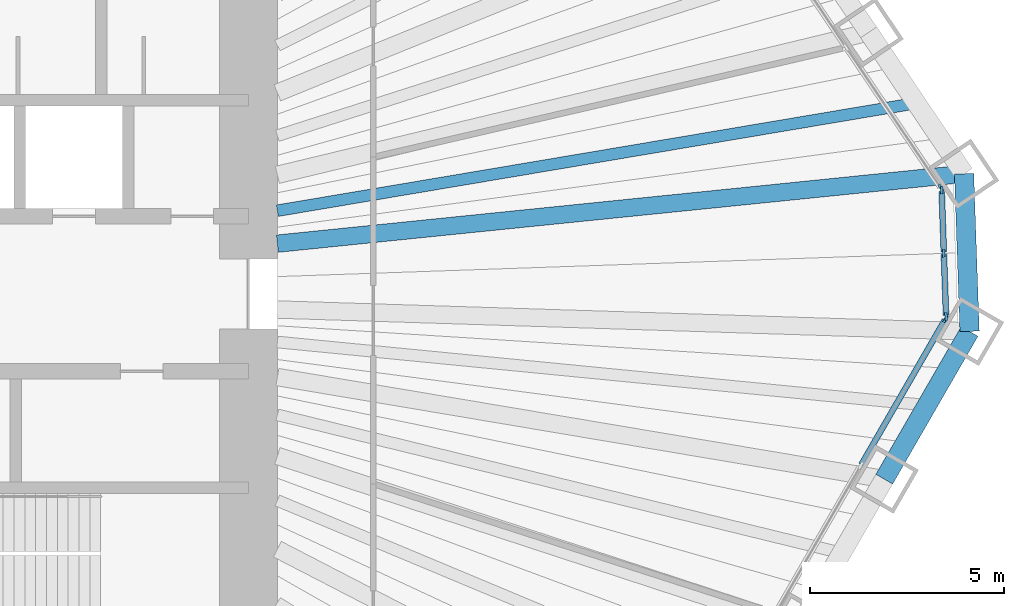
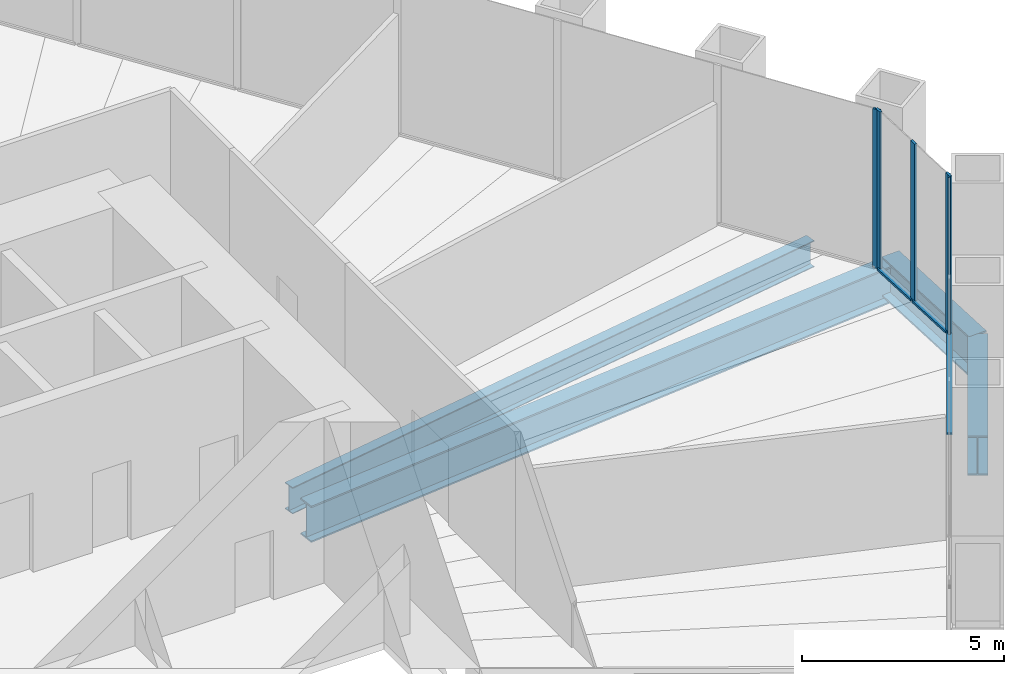
# One storey, part 5 of 13: 8 members, 4 beams, 3 elements without a shape of their own.
"""IFC4 building model written with IfcOpenShell, lengths in metres."""

from ifc_helpers import new_model, si_unit, direction, frame, origin, origin_2d, place, context, subcontext, project, spatial, rectangle, i_section, extrude, material, material_profile, profile_set, type_object, element, aggregate, save


model = new_model("IFC4")

# Units and contexts
model_context = context("Model", 3, precision=1e-05, world=origin(), true_north=direction((0.0, 1.0)))
body_context = subcontext(model_context, "Body", "Model", "MODEL_VIEW")
ifc_project = project(units=[si_unit("LENGTHUNIT", "METRE"), si_unit("AREAUNIT", "SQUARE_METRE"), si_unit("VOLUMEUNIT", "CUBIC_METRE"), si_unit("PLANEANGLEUNIT", "RADIAN"), si_unit("MASSUNIT", "GRAM", prefix="KILO")], contexts=[model_context])

# Site, building, storey
site_placement = place(None, origin())
site = spatial("IfcSite", under=ifc_project, at=site_placement, CompositionType="ELEMENT")
building_placement = place(site_placement, origin())
building = spatial("IfcBuilding", under=site, at=building_placement, Name="Qingtian Harvest Tower", CompositionType="ELEMENT")
storey_placement = place(building_placement, frame((0.0, 0.0, 32.0)))
storey = spatial("IfcBuildingStorey", under=building, at=storey_placement, Name="L06", CompositionType="ELEMENT", Elevation=32.0)

# Beams
ifc_material_1 = material(Name="Steel SM570MC", Category="steel")
ifc_material_profile_1 = material_profile(ifc_material_1, i_section(OverallWidth=0.449951171875, OverallDepth=1.10009765625, WebThickness=0.02197265625, FlangeThickness=0.044921875, at=origin_2d()), Name="H1100x450x22x45")
ifc_profile_set_1 = profile_set([ifc_material_profile_1], Name="Steel SM570MC")
beam_type_1 = type_object("IfcBeamType", Name="Corner floor beam FB8 H1100x450x22x45", PredefinedType="BEAM", material=ifc_profile_set_1)
beam_1_placement = place(storey_placement, frame((30.476318359375, 3.100830078125, -0.75), z_axis=(-0.994864371567, -0.101217005423, 0.0), x_axis=(0.101217005423, -0.994864371567, 0.0)))
element("IfcBeam", 1, at=beam_1_placement, inside=storey, type_object=beam_type_1, Name="Floor beam FB8 NE6", PredefinedType="BEAM", context=body_context, shape_type="SweptSolid", body=[
    extrude(i_section(OverallWidth=0.449951171875, OverallDepth=1.10009765625, WebThickness=0.02197265625, FlangeThickness=0.044921875, at=origin_2d()), origin(), (0.0, 0.0, 1.0), 17.81787109375),
])
ifc_material_2 = material(Name="Steel SN490B", Category="steel")
ifc_material_profile_2 = material_profile(ifc_material_2, i_section(OverallWidth=0.300048828125, OverallDepth=0.800048828125, WebThickness=0.013916015625, FlangeThickness=0.02587890625, at=origin_2d()), Name="H800x300x14x26")
ifc_profile_set_2 = profile_set([ifc_material_profile_2], Name="Steel SN490B")
beam_type_2 = type_object("IfcBeamType", Name="Floor joist J1 H800x300x14x26", PredefinedType="JOIST", material=ifc_profile_set_2)
beam_2_placement = place(storey_placement, frame((29.244873046875, 4.926513671875, -0.60009765625), z_axis=(-0.986107238024, -0.166109948877, 0.0), x_axis=(0.166109948877, -0.986107238024, 0.0)))
element("IfcBeam", 2, at=beam_2_placement, inside=storey, type_object=beam_type_2, Name="Floor joist J1 NE5", PredefinedType="JOIST", context=body_context, shape_type="SweptSolid", body=[
    extrude(i_section(OverallWidth=0.300048828125, OverallDepth=0.800048828125, WebThickness=0.013916015625, FlangeThickness=0.02587890625, at=origin_2d()), origin(), (0.0, 0.0, 1.0), 16.727294921875),
])

# Curtain wall, member
ifc_material_3 = material(Name="Bronze-anodised aluminium curtain wall", Category="aluminium")
curtain_wall_type = type_object("IfcCurtainWallType", Name="Curtain wall CW2 farm reception", PredefinedType="USERDEFINED", material=ifc_material_3)
curtain_wall_1_placement = place(storey_placement, origin())
curtain_wall_1 = element("IfcCurtainWall", 3, at=curtain_wall_1_placement, inside=storey, type_object=curtain_wall_type, Name="Curtain wall CW2 L06 NE0-5", ObjectType="RECESSED CURTAIN WALL", PredefinedType="USERDEFINED")
ifc_material_4 = material(Name="Bronze-anodised aluminium mullion", Category="aluminium")
ifc_material_profile_3 = material_profile(ifc_material_4, rectangle(XDim=0.06494140625, YDim=0.199951171875, at=origin_2d()), Name="AL 65x200")
ifc_profile_set_3 = profile_set([ifc_material_profile_3], Name="Bronze-anodised aluminium mullion")
member_type_1 = type_object("IfcMemberType", Name="Mullion CWM 65x200", PredefinedType="MULLION", material=ifc_profile_set_3)
member_1_placement = place(storey_placement, frame((29.8779296875, 2.736328125, 0.0), z_axis=(0.0, 0.0, 1.0), x_axis=(0.829037572555, 0.559192903471, 0.0)))
member_1 = element("IfcMember", 4, at=member_1_placement, type_object=member_type_1, Name="CW2 mullion 7", PredefinedType="MULLION", context=body_context, shape_type="SweptSolid", body=[
    extrude(rectangle(XDim=0.06494140625, YDim=0.199951171875, at=origin_2d()), origin(), (0.0, 0.0, 1.0), 4.800048828125),
])
aggregate(curtain_wall_1, [member_1])

# Curtain wall, members
curtain_wall_2_placement = place(storey_placement, origin())
curtain_wall_2 = element("IfcCurtainWall", 5, at=curtain_wall_2_placement, inside=storey, type_object=curtain_wall_type, Name="Curtain wall CW2 L06 NEC", ObjectType="RECESSED CURTAIN WALL", PredefinedType="USERDEFINED")
member_2_placement = place(storey_placement, frame((29.897216796875, 2.677001953125, 0.0), z_axis=(0.0, 0.0, 1.0), x_axis=(0.999390827019, 0.034899496703, 0.0)))
member_2 = element("IfcMember", 6, at=member_2_placement, type_object=member_type_1, Name="CW2 mullion 1", PredefinedType="MULLION", context=body_context, shape_type="SweptSolid", body=[
    extrude(rectangle(XDim=0.06494140625, YDim=0.199951171875, at=origin_2d()), origin(), (0.0, 0.0, 1.0), 4.800048828125),
])
member_3_placement = place(storey_placement, frame((29.9541015625, 1.046142578125, 0.0), z_axis=(0.0, 0.0, 1.0), x_axis=(0.999390827019, 0.034899496703, 0.0)))
member_3 = element("IfcMember", 7, at=member_3_placement, type_object=member_type_1, Name="CW2 mullion 2", PredefinedType="MULLION", context=body_context, shape_type="SweptSolid", body=[
    extrude(rectangle(XDim=0.06494140625, YDim=0.199951171875, at=origin_2d()), origin(), (0.0, 0.0, 1.0), 4.800048828125),
])
member_4_placement = place(storey_placement, frame((30.010986328125, -0.5849609375, 0.0), z_axis=(0.0, 0.0, 1.0), x_axis=(0.999390827019, 0.034899496703, 0.0)))
member_4 = element("IfcMember", 8, at=member_4_placement, type_object=member_type_1, Name="CW2 mullion 3", PredefinedType="MULLION", context=body_context, shape_type="SweptSolid", body=[
    extrude(rectangle(XDim=0.06494140625, YDim=0.199951171875, at=origin_2d()), origin(), (0.0, 0.0, 1.0), 4.800048828125),
])

# Curtain wall, member
curtain_wall_3_placement = place(storey_placement, origin())
curtain_wall_3 = element("IfcCurtainWall", 9, at=curtain_wall_3_placement, inside=storey, type_object=curtain_wall_type, Name="Curtain wall CW2 L06 SE0-5", ObjectType="RECESSED CURTAIN WALL", PredefinedType="USERDEFINED")
member_5_placement = place(storey_placement, frame((29.995849609375, -0.6455078125, 0.0), z_axis=(0.0, 0.0, 1.0), x_axis=(0.866025403784, -0.5, 0.0)))
member_5 = element("IfcMember", 10, at=member_5_placement, type_object=member_type_1, Name="CW2 mullion 1", PredefinedType="MULLION", context=body_context, shape_type="SweptSolid", body=[
    extrude(rectangle(XDim=0.06494140625, YDim=0.199951171875, at=origin_2d()), origin(), (0.0, 0.0, 1.0), 4.800048828125),
])

# Beams
ifc_material_5 = material(Name="Steel SM570MC", Category="steel")
ifc_material_profile_4 = material_profile(ifc_material_5, i_section(OverallWidth=0.5, OverallDepth=1.199951171875, WebThickness=0.02490234375, FlangeThickness=0.050048828125, at=origin_2d()), Name="H1200x500x25x50")
ifc_profile_set_4 = profile_set([ifc_material_profile_4], Name="Steel SM570MC")
beam_type_3 = type_object("IfcBeamType", Name="Spandrel beam SB1 H1200x500x25x50", PredefinedType="SPANDREL", material=ifc_profile_set_4)
beam_3_placement = place(storey_placement, frame((30.476318359375, 3.100830078125, -0.60009765625), z_axis=(0.03490639867, -0.999390585973, 0.0), x_axis=(0.999390585973, 0.03490639867, 0.0)))
element("IfcBeam", 11, at=beam_3_placement, inside=storey, type_object=beam_type_3, Name="Spandrel SB1 NEC", PredefinedType="SPANDREL", context=body_context, shape_type="SweptSolid", body=[
    extrude(i_section(OverallWidth=0.5, OverallDepth=1.199951171875, WebThickness=0.02490234375, FlangeThickness=0.050048828125, at=origin_2d()), origin(), (0.0, 0.0, 1.0), 4.070556640625),
])
beam_4_placement = place(storey_placement, frame((30.618408203125, -0.96728515625, -0.60009765625), z_axis=(-0.50001992892, -0.866013897511, 0.0), x_axis=(0.866013897511, -0.50001992892, 0.0)))
element("IfcBeam", 12, at=beam_4_placement, inside=storey, type_object=beam_type_3, Name="Spandrel SB1 SE0", PredefinedType="SPANDREL", context=body_context, shape_type="SweptSolid", body=[
    extrude(i_section(OverallWidth=0.5, OverallDepth=1.199951171875, WebThickness=0.02490234375, FlangeThickness=0.050048828125, at=origin_2d()), origin(), (0.0, 0.0, 1.0), 4.404541015625),
])

# Member
ifc_material_6 = material(Name="Bronze-anodised aluminium transom", Category="aluminium")
ifc_material_profile_5 = material_profile(ifc_material_6, rectangle(XDim=0.14990234375, YDim=0.06494140625, at=origin_2d()), Name="AL 65x150")
ifc_profile_set_5 = profile_set([ifc_material_profile_5], Name="Bronze-anodised aluminium transom")
member_type_2 = type_object("IfcMemberType", Name="Transom CWT 65x150", PredefinedType="USERDEFINED", material=ifc_profile_set_5)
member_6_placement = place(storey_placement, frame((29.898193359375, 2.64453125, 0.032470703125), z_axis=(0.034902326647, -0.999390728191, 0.0), x_axis=(0.999390728191, 0.034902326647, 0.0)))
member_6 = element("IfcMember", 13, at=member_6_placement, type_object=member_type_2, Name="CW2 transom 1.1", ObjectType="TRANSOM", PredefinedType="USERDEFINED", context=body_context, shape_type="SweptSolid", body=[
    extrude(rectangle(XDim=0.14990234375, YDim=0.06494140625, at=origin_2d()), origin(), (0.0, 0.0, 1.0), 1.56689453125),
])

member_7_placement = place(storey_placement, frame((29.955322265625, 1.013427734375, 0.032470703125), z_axis=(0.034902326647, -0.999390728191, 0.0), x_axis=(0.999390728191, 0.034902326647, 0.0)))
member_7 = element("IfcMember", 14, at=member_7_placement, type_object=member_type_2, Name="CW2 transom 2.1", ObjectType="TRANSOM", PredefinedType="USERDEFINED", context=body_context, shape_type="SweptSolid", body=[
    extrude(rectangle(XDim=0.14990234375, YDim=0.06494140625, at=origin_2d()), origin(), (0.0, 0.0, 1.0), 1.56689453125),
])

aggregate(curtain_wall_2, [member_2, member_3, member_4, member_6, member_7])

member_8_placement = place(storey_placement, frame((29.979736328125, -0.673583984375, 0.032470703125), z_axis=(-0.499985768833, -0.866033619997, 0.0), x_axis=(0.866033619997, -0.499985768833, 0.0)))
member_8 = element("IfcMember", 15, at=member_8_placement, type_object=member_type_2, Name="CW2 transom 1.1", ObjectType="TRANSOM", PredefinedType="USERDEFINED", context=body_context, shape_type="SweptSolid", body=[
    extrude(rectangle(XDim=0.14990234375, YDim=0.06494140625, at=origin_2d()), origin(), (0.0, 0.0, 1.0), 4.307373046875),
])

aggregate(curtain_wall_3, [member_5, member_8])

save(model, "model.ifc")
